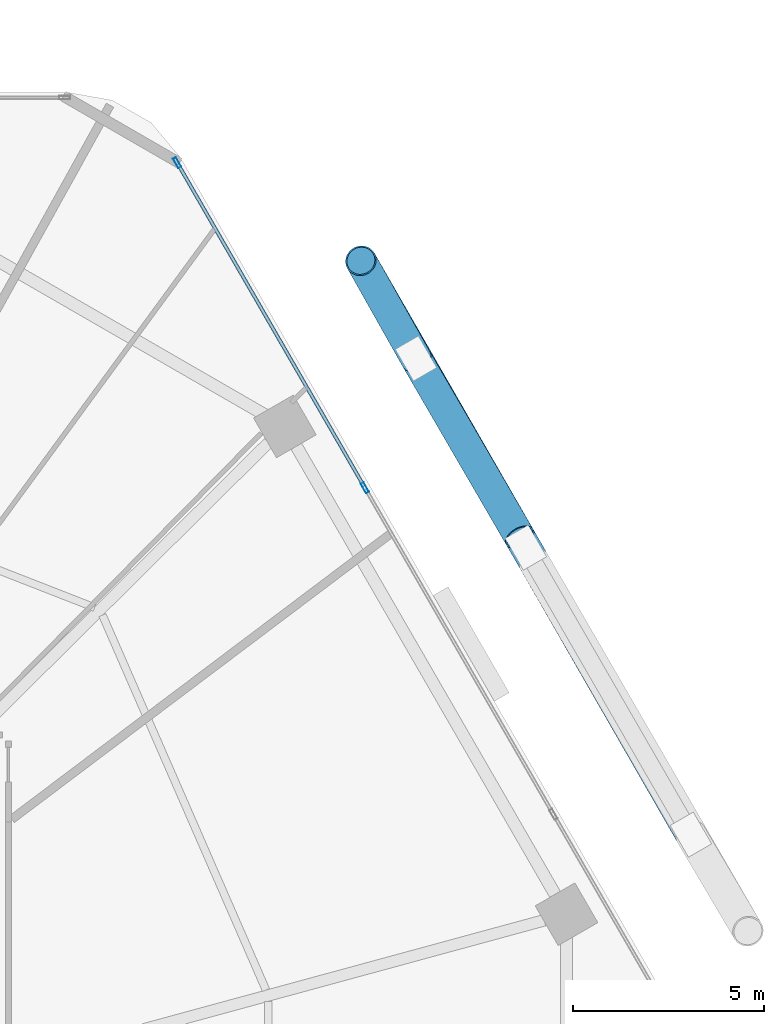
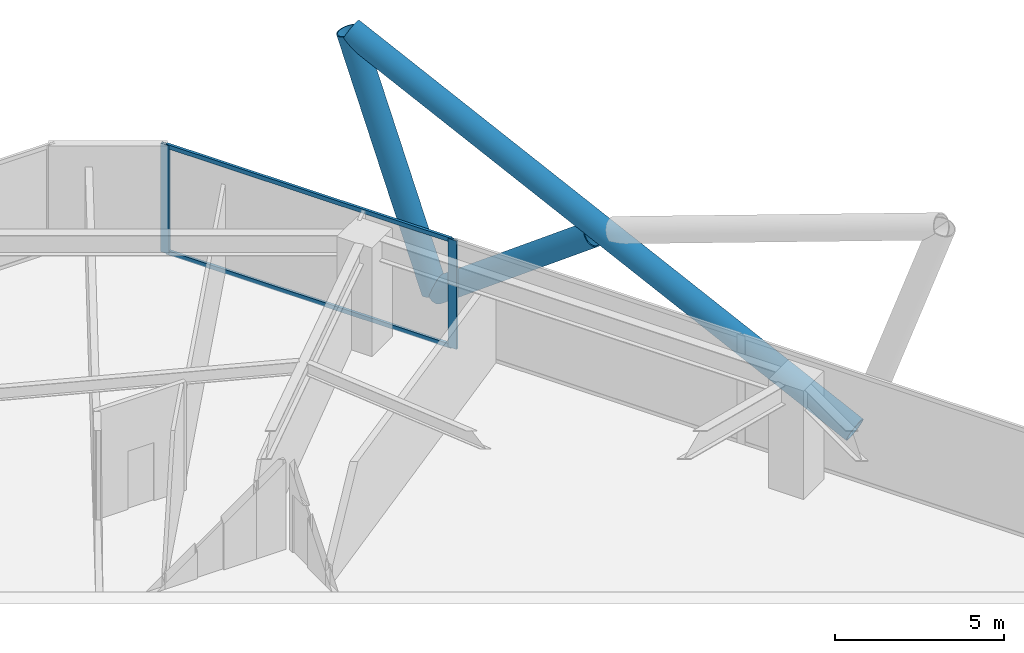
# One storey, part 22 of 30: 7 members, 1 element without a shape of its own.
"""IFC4 building model written with IfcOpenShell, lengths in metres."""

from ifc_helpers import new_model, si_unit, direction, frame, origin, origin_2d, place, context, subcontext, project, spatial, hollow_rectangle, hollow_circle, extrude, material, material_profile, profile_set, type_object, element, aggregate, save


model = new_model("IFC4")

# Units and contexts
model_context = context("Model", 3, precision=1e-05, world=origin(), true_north=direction((0.0, 1.0)))
body_context = subcontext(model_context, "Body", "Model", "MODEL_VIEW")
ifc_project = project(units=[si_unit("LENGTHUNIT", "METRE"), si_unit("AREAUNIT", "SQUARE_METRE"), si_unit("VOLUMEUNIT", "CUBIC_METRE"), si_unit("PLANEANGLEUNIT", "RADIAN"), si_unit("MASSUNIT", "GRAM", prefix="KILO")], contexts=[model_context])

# Site, building, storey
site_placement = place(None, origin())
site = spatial("IfcSite", under=ifc_project, at=site_placement, CompositionType="ELEMENT")
building_placement = place(site_placement, origin())
building = spatial("IfcBuilding", under=site, at=building_placement, Name="Zuhravey Tower", CompositionType="ELEMENT")
storey_placement = place(building_placement, frame((0.0, 0.0, 33.0)))
storey = spatial("IfcBuildingStorey", under=building, at=storey_placement, Name="L08", CompositionType="ELEMENT", Elevation=33.0)

# Curtain wall, members
ifc_material_1 = material(Name="Thermally broken anodised aluminium", Category="aluminium")
curtain_wall_type = type_object("IfcCurtainWallType", Name="School Low-E Unitised Curtain Wall CW1", PredefinedType="NOTDEFINED", material=ifc_material_1)
curtain_wall_placement = place(storey_placement, origin())
curtain_wall = element("IfcCurtainWall", 1, at=curtain_wall_placement, inside=storey, type_object=curtain_wall_type, Name="L08 CW1 CW-L08-F1-1", PredefinedType="NOTDEFINED")
ifc_material_2 = material(Name="Anodised aluminium", Category="aluminium")
ifc_material_profile_1 = material_profile(ifc_material_2, hollow_rectangle(XDim=0.090087890625, YDim=0.284912109375, WallThickness=0.0048828125, at=origin_2d()), Name="ALU-RHS-90x285x5")
ifc_profile_set_1 = profile_set([ifc_material_profile_1], Name="Anodised aluminium")
member_type_1 = type_object("IfcMemberType", Name="Curtain-Wall Mullion 90x180", PredefinedType="MULLION", material=ifc_profile_set_1)
member_1_placement = place(storey_placement, frame((53.701416015625, 59.257080078125, 0.0), z_axis=(0.0, 0.0, 1.0), x_axis=(0.86602552265, 0.499999794119, 0.0)))
member_1 = element("IfcMember", 2, at=member_1_placement, type_object=member_type_1, Name="CW1 mullion 1", PredefinedType="MULLION", context=body_context, shape_type="SweptSolid", body=[
    extrude(hollow_rectangle(XDim=0.090087890625, YDim=0.284912109375, WallThickness=0.0048828125, at=origin_2d()), origin(), (0.0, 0.0, 1.0), 3.919921875),
])
member_2_placement = place(storey_placement, frame((58.612060546875, 50.75146484375, 0.0), z_axis=(0.0, 0.0, 1.0), x_axis=(0.86602552265, 0.499999794119, 0.0)))
member_2 = element("IfcMember", 3, at=member_2_placement, type_object=member_type_1, Name="CW1 mullion 2", PredefinedType="MULLION", context=body_context, shape_type="SweptSolid", body=[
    extrude(hollow_rectangle(XDim=0.090087890625, YDim=0.284912109375, WallThickness=0.0048828125, at=origin_2d()), origin(), (0.0, 0.0, 1.0), 3.919921875),
])
ifc_material_profile_2 = material_profile(ifc_material_2, hollow_rectangle(XDim=0.090087890625, YDim=0.14990234375, WallThickness=0.0048828125, at=origin_2d()), Name="ALU-RHS-90x150x5")
ifc_profile_set_2 = profile_set([ifc_material_profile_2], Name="Anodised aluminium")
member_type_2 = type_object("IfcMemberType", Name="Curtain-Wall Transom 90x150", PredefinedType="USERDEFINED", material=ifc_profile_set_2)
member_3_placement = place(storey_placement, frame((53.72412109375, 59.218017578125, 0.044921875), z_axis=(0.499989576763, -0.86603142156, 0.0), x_axis=(0.86603142156, 0.499989576763, 0.0)))
member_3 = element("IfcMember", 4, at=member_3_placement, type_object=member_type_2, Name="CW1 transom 1.1", ObjectType="TRANSOM", PredefinedType="USERDEFINED", context=body_context, shape_type="SweptSolid", body=[
    extrude(hollow_rectangle(XDim=0.090087890625, YDim=0.14990234375, WallThickness=0.0048828125, at=origin_2d()), origin(), (0.0, 0.0, 1.0), 9.731201171875),
])
member_4_placement = place(storey_placement, frame((53.72412109375, 59.218017578125, 3.875), z_axis=(0.499989576763, -0.86603142156, 0.0), x_axis=(0.86603142156, 0.499989576763, 0.0)))
member_4 = element("IfcMember", 5, at=member_4_placement, type_object=member_type_2, Name="CW1 transom 1.2", ObjectType="TRANSOM", PredefinedType="USERDEFINED", context=body_context, shape_type="SweptSolid", body=[
    extrude(hollow_rectangle(XDim=0.090087890625, YDim=0.14990234375, WallThickness=0.0048828125, at=origin_2d()), origin(), (0.0, 0.0, 1.0), 9.731201171875),
])
aggregate(curtain_wall, [member_1, member_2, member_3, member_4])

# Members
ifc_material_3 = material(Name="Steel SM460", Category="steel")
ifc_material_profile_3 = material_profile(ifc_material_3, hollow_circle(Radius=0.406494140625, WallThickness=0.035888671875, at=origin_2d()), Name="CHS-812.8x36")
ifc_profile_set_3 = profile_set([ifc_material_profile_3], Name="Steel SM460")
member_type_3 = type_object("IfcMemberType", Name="Exoskeleton Zone 1 Diagrid CHS813x36", PredefinedType="BRACE", material=ifc_profile_set_3)
member_5_placement = place(storey_placement, frame((67.121337890625, 41.713623046875, -0.471923828125), z_axis=(-0.448592352155, 0.780085814362, 0.436154816342), x_axis=(-0.866885648992, -0.49850704265, 0.0)))
element("IfcMember", 6, at=member_5_placement, inside=storey, type_object=member_type_3, Name="L08 Face 1 Diagrid Brace 2", PredefinedType="BRACE", context=body_context, shape_type="SweptSolid", body=[
    extrude(hollow_circle(Radius=0.406494140625, WallThickness=0.035888671875, at=origin_2d()), origin(), (0.0, 0.0, 1.0), 19.158203125),
])
member_6_placement = place(storey_placement, frame((59.9462890625, 54.14111328125, -0.471923828125), z_axis=(-0.16241062079, 0.288037579757, 0.943746333981), x_axis=(-0.871071780124, -0.49115573281, 0.0)))
element("IfcMember", 7, at=member_6_placement, inside=storey, type_object=member_type_3, Name="L08 Face 1 Diagrid Brace 4", PredefinedType="BRACE", context=body_context, shape_type="SweptSolid", body=[
    extrude(hollow_circle(Radius=0.406494140625, WallThickness=0.035888671875, at=origin_2d()), origin(), (0.0, 0.0, 1.0), 8.85400390625),
])
member_7_placement = place(storey_placement, frame((59.970458984375, 54.09912109375, -0.464111328125), z_axis=(0.404897066757, -0.697108611354, 0.591690754793), x_axis=(0.86472197136, 0.502250845939, 0.0)))
element("IfcMember", 8, at=member_7_placement, inside=storey, type_object=member_type_3, Name="L08 Face 1 Split Diagrid Brace 3A", PredefinedType="BRACE", context=body_context, shape_type="SweptSolid", body=[
    extrude(hollow_circle(Radius=0.406494140625, WallThickness=0.035888671875, at=origin_2d()), origin(), (0.0, 0.0, 1.0), 6.6513671875),
])

save(model, "model.ifc")
